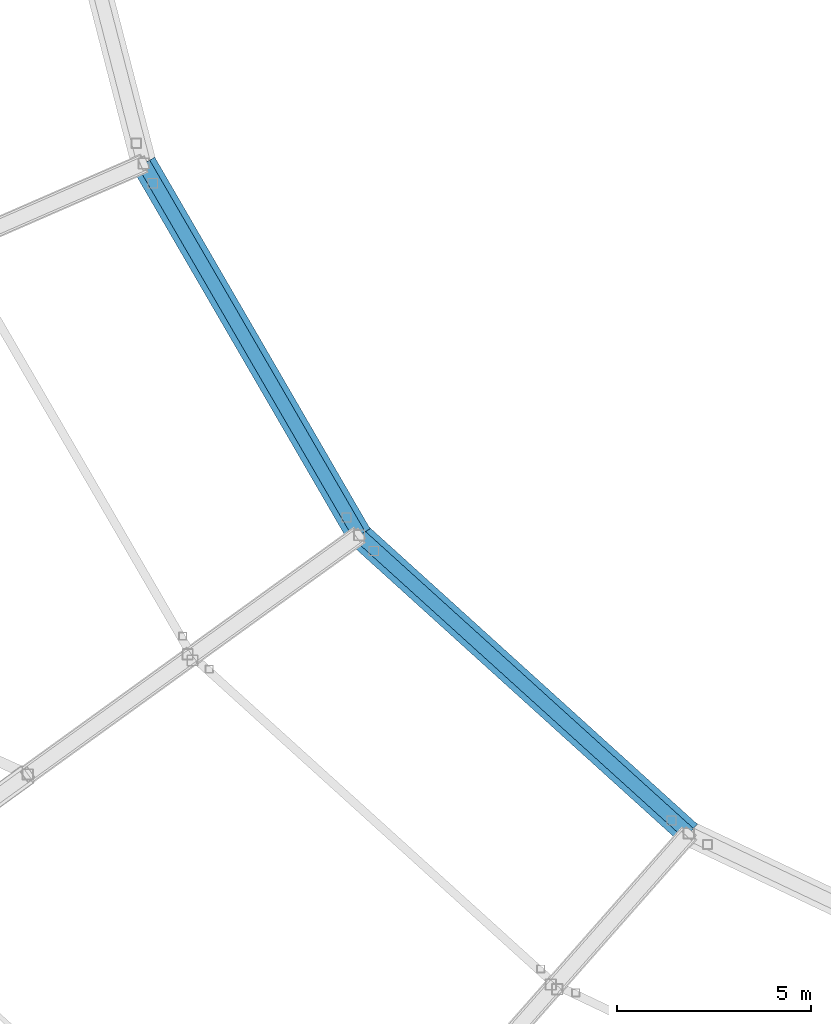
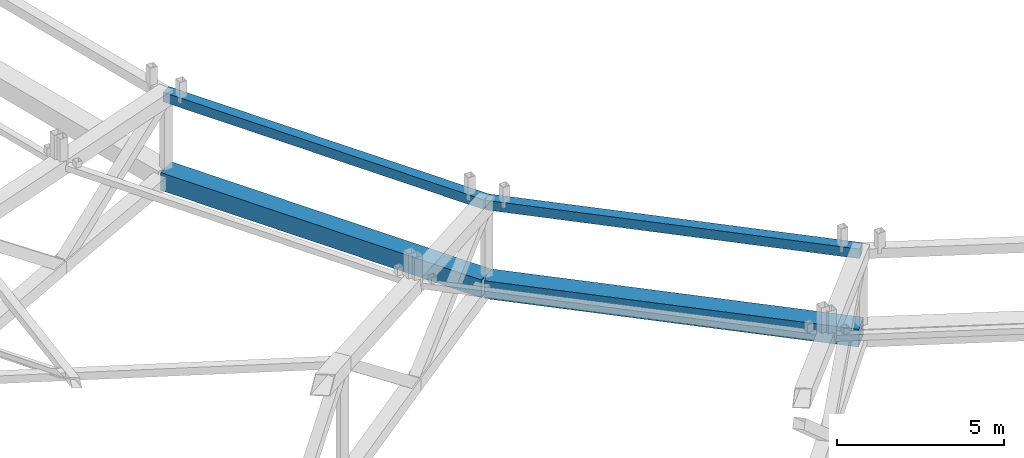
# One storey, part 24 of 162: 4 members.
"""IFC4 building model written with IfcOpenShell, lengths in metres."""

from ifc_helpers import new_model, si_unit, direction, frame, origin, origin_2d, place, context, subcontext, project, spatial, hollow_rectangle, extrude, material, material_profile, profile_set, type_object, element, save


model = new_model("IFC4")

# Units and contexts
model_context = context("Model", 3, precision=1e-05, world=origin(), true_north=direction((0.0, 1.0)))
body_context = subcontext(model_context, "Body", "Model", "MODEL_VIEW")
ifc_project = project(units=[si_unit("LENGTHUNIT", "METRE"), si_unit("AREAUNIT", "SQUARE_METRE"), si_unit("VOLUMEUNIT", "CUBIC_METRE"), si_unit("PLANEANGLEUNIT", "RADIAN"), si_unit("MASSUNIT", "GRAM", prefix="KILO")], contexts=[model_context])

# Site, building, storey
site_placement = place(None, origin())
site = spatial("IfcSite", under=ifc_project, at=site_placement, CompositionType="ELEMENT")
building_placement = place(site_placement, origin())
building = spatial("IfcBuilding", under=site, at=building_placement, Name="Kazemori Nagisa Stadium", CompositionType="ELEMENT")
storey_placement = place(building_placement, frame((0.0, 0.0, 36.719970703125)))
storey = spatial("IfcBuildingStorey", under=building, at=storey_placement, Name="RF", CompositionType="ELEMENT", Elevation=36.719970703125)

# Members
ifc_material = material(Name="Steel STKR490", Category="steel")
ifc_material_profile_1 = material_profile(ifc_material, hollow_rectangle(XDim=0.35009765625, YDim=0.35009765625, WallThickness=0.01611328125, at=origin_2d()), Name="SHS-350x350x16")
ifc_profile_set_1 = profile_set([ifc_material_profile_1], Name="Steel STKR490")
member_type_1 = type_object("IfcMemberType", Name="Member_TC-SHS350", PredefinedType="CHORD", material=ifc_profile_set_1)
member_1_placement = place(storey_placement, frame((75.446533203125, 81.26904296875, 5.52099609375), z_axis=(0.501597033298, -0.865076975994, -0.006499368596), x_axis=(0.865095247773, 0.501607627813, 0.0)))
element("IfcMember", 1, at=member_1_placement, inside=storey, type_object=member_type_1, Name="Roof tension ring beam upper TR-17", PredefinedType="CHORD", context=body_context, shape_type="SweptSolid", body=[
    extrude(hollow_rectangle(XDim=0.35009765625, YDim=0.35009765625, WallThickness=0.01611328125, at=origin_2d()), origin(), (0.0, 0.0, 1.0), 11.081298828125),
])
member_2_placement = place(storey_placement, frame((81.0048828125, 71.682861328125, 5.448974609375), z_axis=(0.74132179778, -0.671098703579, -0.008277813225), x_axis=(0.671121697338, 0.741347197582, 0.0)))
element("IfcMember", 2, at=member_2_placement, inside=storey, type_object=member_type_1, Name="Roof tension ring beam upper TR-18", PredefinedType="CHORD", context=body_context, shape_type="SweptSolid", body=[
    extrude(hollow_rectangle(XDim=0.35009765625, YDim=0.35009765625, WallThickness=0.01611328125, at=origin_2d()), origin(), (0.0, 0.0, 1.0), 11.472900390625),
])
ifc_material_profile_2 = material_profile(ifc_material, hollow_rectangle(XDim=0.64990234375, YDim=0.64990234375, WallThickness=0.02490234375, at=origin_2d()), Name="SHS-650x650x25")
ifc_profile_set_2 = profile_set([ifc_material_profile_2], Name="Steel STKR490")
member_type_2 = type_object("IfcMemberType", Name="Member_TC-SHS650", PredefinedType="CHORD", material=ifc_profile_set_2)
member_3_placement = place(storey_placement, frame((75.446533203125, 81.26904296875, 2.526123046875), z_axis=(0.501598686984, -0.865079828016, -0.005970626089), x_axis=(0.865095247773, 0.501607627813, 0.0)))
element("IfcMember", 3, at=member_3_placement, inside=storey, type_object=member_type_2, Name="Roof tension ring beam lower TR-17", PredefinedType="CHORD", context=body_context, shape_type="SweptSolid", body=[
    extrude(hollow_rectangle(XDim=0.64990234375, YDim=0.64990234375, WallThickness=0.02490234375, at=origin_2d()), origin(), (0.0, 0.0, 1.0), 11.081298828125),
])
member_4_placement = place(storey_placement, frame((81.0048828125, 71.682861328125, 2.4599609375), z_axis=(0.741325924287, -0.671102439195, -0.007575624452), x_axis=(0.671121697338, 0.741347197582, 0.0)))
element("IfcMember", 4, at=member_4_placement, inside=storey, type_object=member_type_2, Name="Roof tension ring beam lower TR-18", PredefinedType="CHORD", context=body_context, shape_type="SweptSolid", body=[
    extrude(hollow_rectangle(XDim=0.64990234375, YDim=0.64990234375, WallThickness=0.02490234375, at=origin_2d()), origin(), (0.0, 0.0, 1.0), 11.472900390625),
])

save(model, "model.ifc")
